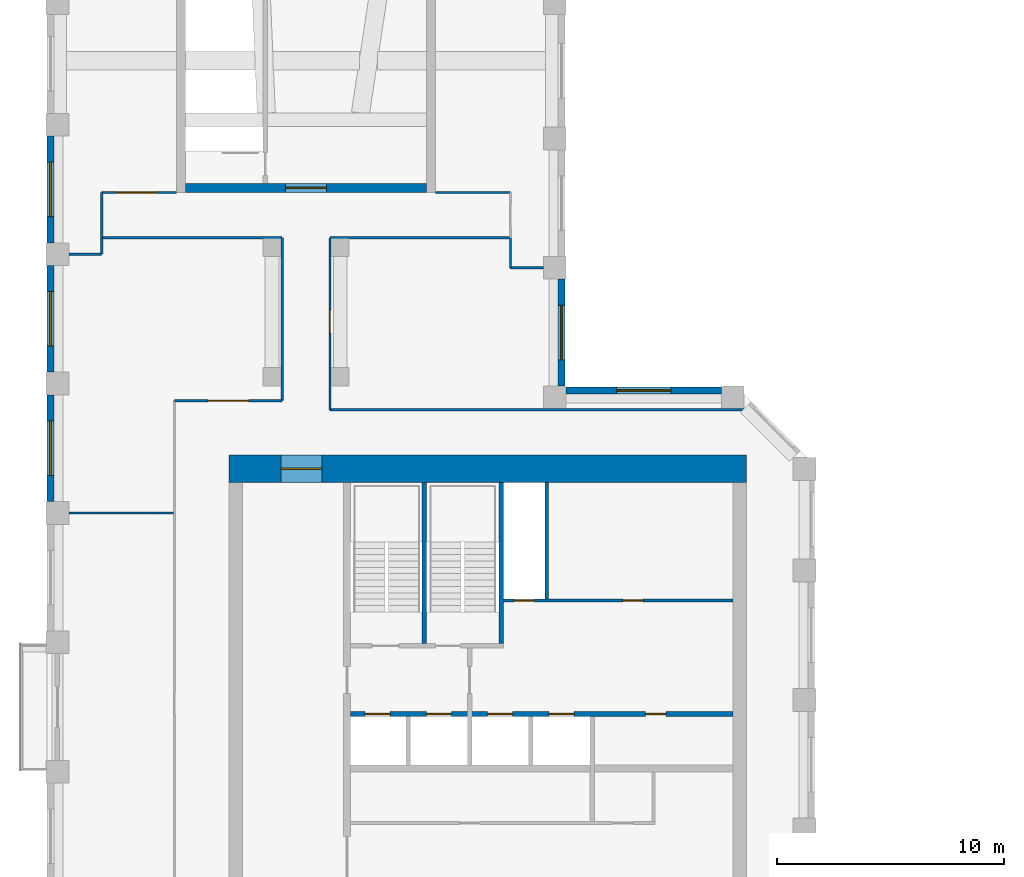
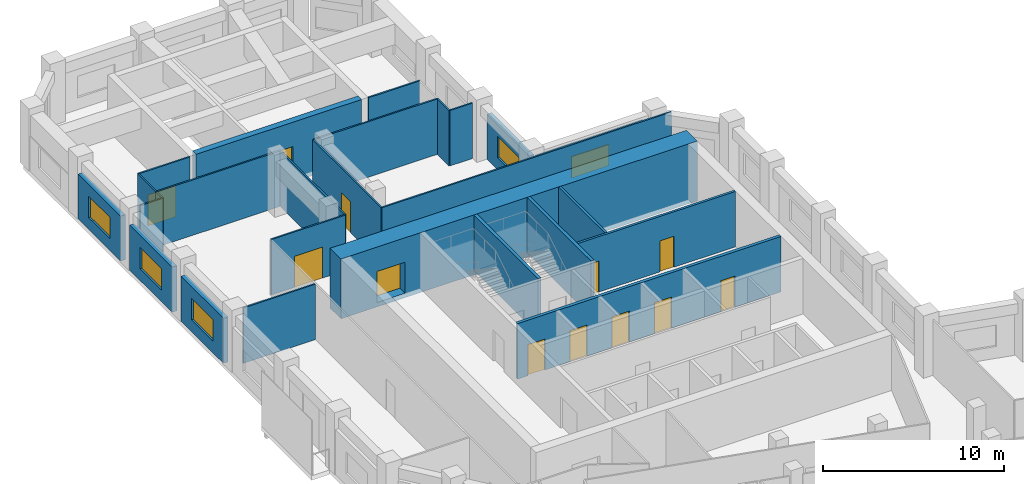
# One storey, part 6 of 9: 26 walls, 12 doors, 5 windows, 17 openings.
"""IFC4 building model written with IfcOpenShell, lengths in metres."""

from ifc_helpers import new_model, si_unit, direction, frame, frame_2d, origin, place, context, subcontext, project, spatial, rectangle, extrude, material, layer, layer_set, type_object, element, fill, save


model = new_model("IFC4")

# Units and contexts
model_context = context("Model", 3, precision=1e-05, world=origin(), true_north=direction((0.0, 1.0)))
body_context = subcontext(model_context, "Body", "Model", "MODEL_VIEW")
ifc_project = project(units=[si_unit("LENGTHUNIT", "METRE"), si_unit("AREAUNIT", "SQUARE_METRE"), si_unit("VOLUMEUNIT", "CUBIC_METRE"), si_unit("PLANEANGLEUNIT", "RADIAN"), si_unit("MASSUNIT", "GRAM", prefix="KILO")], contexts=[model_context])

# Site, building, storey
site_placement = place(None, origin())
site = spatial("IfcSite", under=ifc_project, at=site_placement, CompositionType="ELEMENT")
building_placement = place(site_placement, origin())
building = spatial("IfcBuilding", under=site, at=building_placement, Name="Meshkara Civic Tower", CompositionType="ELEMENT")
storey_placement = place(building_placement, frame((0.0, 0.0, 344.39990234375)))
storey = spatial("IfcBuildingStorey", under=building, at=storey_placement, Name="L79", CompositionType="ELEMENT", Elevation=344.39990234375)

# Wall, openings, doors
ifc_material_1 = material(Name="Blockwork", Category="masonry")
ifc_layer_1 = layer(ifc_material_1, 0.14990234375)
ifc_layer_set_1 = layer_set([ifc_layer_1], Name="Core partition 150")
wall_type_1 = type_object("IfcWallType", Name="Core partition 150", PredefinedType="PARTITIONING", material=ifc_layer_set_1)
wall_1_placement = place(storey_placement, frame((20.10009765625, 30.5, 0.0), z_axis=(0.0, 0.0, 1.0), x_axis=(1.0, 0.0, 0.0)))
wall_1 = element("IfcWall", 1, at=wall_1_placement, inside=storey, type_object=wall_type_1, Name="L79-C010", PredefinedType="PARTITIONING", context=body_context, shape_type="SweptSolid", body=[
    extrude(rectangle(XDim=10.099853515625, YDim=0.14990234375, at=frame_2d((5.0498046875, 0.0))), origin(), (0.0, 0.0, 1.0), 3.75),
])
opening_1_placement = place(wall_1_placement, frame((0.449951171875, 0.0, 0.0)))
opening_1 = element("IfcOpeningElement", 2, at=opening_1_placement, cuts=wall_1, Name="Opening L79-K014", PredefinedType="OPENING", context=body_context, shape_type="SweptSolid", body=[
    extrude(rectangle(XDim=0.89990234375, YDim=2.10009765625, at=frame_2d((0.449951171875, 1.050048828125))), frame((0.0, 0.0849609375, 0.0), z_axis=(0.0, -1.0, 0.0), x_axis=(1.0, 0.0, 0.0)), (0.0, 0.0, 1.0), 0.169921875),
])
opening_2_placement = place(wall_1_placement, frame((5.25, 0.0, 0.0)))
opening_2 = element("IfcOpeningElement", 3, at=opening_2_placement, cuts=wall_1, Name="Opening L79-K015", PredefinedType="OPENING", context=body_context, shape_type="SweptSolid", body=[
    extrude(rectangle(XDim=0.89990234375, YDim=2.10009765625, at=frame_2d((0.449951171875, 1.050048828125))), frame((0.0, 0.0849609375, 0.0), z_axis=(0.0, -1.0, 0.0), x_axis=(1.0, 0.0, 0.0)), (0.0, 0.0, 1.0), 0.169921875),
])
ifc_material_2 = material(Name="Timber door leaf in steel frame", Category="steel")
door_type_1 = type_object("IfcDoorType", Name="Core room door 900", OperationType="SINGLE_SWING_LEFT", PredefinedType="DOOR", material=ifc_material_2)
door_1_placement = place(opening_2_placement, origin())
door_1 = element("IfcDoor", 4, at=door_1_placement, inside=storey, type_object=door_type_1, Name="L79-K015", OperationType="SINGLE_SWING_LEFT", OverallHeight=2.10009765625, OverallWidth=0.89990234375, PredefinedType="DOOR", context=body_context, shape_type="SweptSolid", body=[
    extrude(rectangle(XDim=0.89990234375, YDim=2.10009765625, at=frame_2d((0.449951171875, 1.050048828125))), frame((0.0, 0.02490234375, 0.0), z_axis=(0.0, -1.0, 0.0), x_axis=(1.0, 0.0, 0.0)), (0.0, 0.0, 1.0), 0.050048828125),
])
fill(opening_2, door_1)
ifc_material_3 = material(Name="Fire-rated door leaf in steel frame", Category="steel")
door_type_2 = type_object("IfcDoorType", Name="Riser door 900", OperationType="SINGLE_SWING_LEFT", PredefinedType="DOOR", material=ifc_material_3)
door_2_placement = place(opening_1_placement, origin())
door_2 = element("IfcDoor", 5, at=door_2_placement, inside=storey, type_object=door_type_2, Name="L79-K014", OperationType="SINGLE_SWING_RIGHT", OverallHeight=2.10009765625, OverallWidth=0.89990234375, PredefinedType="DOOR", context=body_context, shape_type="SweptSolid", body=[
    extrude(rectangle(XDim=0.89990234375, YDim=2.10009765625, at=frame_2d((0.449951171875, 1.050048828125))), frame((0.0, 0.02490234375, 0.0), z_axis=(0.0, -1.0, 0.0), x_axis=(1.0, 0.0, 0.0)), (0.0, 0.0, 1.0), 0.050048828125),
])
fill(opening_1, door_2)

# Wall
wall_2_placement = place(storey_placement, frame((22.0, 30.574951171875, 0.0), z_axis=(0.0, 0.0, 1.0), x_axis=(0.0, 1.0, 0.0)))
element("IfcWall", 6, at=wall_2_placement, inside=storey, type_object=wall_type_1, Name="L79-C020", PredefinedType="PARTITIONING", context=body_context, shape_type="SweptSolid", body=[
    extrude(rectangle(XDim=5.125, YDim=0.14990234375, at=frame_2d((2.5625, 0.0))), origin(), (0.0, 0.0, 1.0), 3.75),
])

# Wall, opening, door
ifc_material_4 = material(Name="Concrete C60", Category="concrete")
ifc_layer_2 = layer(ifc_material_4, 1.199951171875)
ifc_layer_set_2 = layer_set([ifc_layer_2], Name="Core ring wall 1200 C60")
wall_type_2 = type_object("IfcWallType", Name="Core ring wall 1200 C60", PredefinedType="SHEAR", material=ifc_layer_set_2)
wall_3_placement = place(storey_placement, frame((8.0, 36.300048828125, -0.2998046875), z_axis=(0.0, 0.0, 1.0), x_axis=(1.0, 0.0, 0.0)))
wall_3 = element("IfcWall", 7, at=wall_3_placement, inside=storey, type_object=wall_type_2, Name="L79-C002", PredefinedType="SHEAR", context=body_context, shape_type="SweptSolid", body=[
    extrude(rectangle(XDim=22.800048828125, YDim=1.199951171875, at=frame_2d((11.39990234375, 0.0))), origin(), (0.0, 0.0, 1.0), 4.0498046875),
])
opening_3_placement = place(wall_3_placement, frame((2.300048828125, 0.0, 0.300048828125)))
opening_3 = element("IfcOpeningElement", 8, at=opening_3_placement, cuts=wall_3, Name="Opening L79-K021", PredefinedType="OPENING", context=body_context, shape_type="SweptSolid", body=[
    extrude(rectangle(XDim=1.800048828125, YDim=2.10009765625, at=frame_2d((0.89990234375, 1.050048828125))), frame((0.0, 0.60986328125, 0.0), z_axis=(0.0, -1.0, 0.0), x_axis=(1.0, 0.0, 0.0)), (0.0, 0.0, 1.0), 1.219970703125),
])
ifc_material_5 = material(Name="Fire-rated door leaf in steel frame", Category="steel")
door_type_3 = type_object("IfcDoorType", Name="Core double door 1800 EI 60", OperationType="DOUBLE_DOOR_SINGLE_SWING", PredefinedType="DOOR", material=ifc_material_5)
door_3_placement = place(opening_3_placement, origin())
door_3 = element("IfcDoor", 9, at=door_3_placement, inside=storey, type_object=door_type_3, Name="L79-K021", OperationType="DOUBLE_DOOR_SINGLE_SWING", OverallHeight=2.10009765625, OverallWidth=1.800048828125, PredefinedType="DOOR", context=body_context, shape_type="SweptSolid", body=[
    extrude(rectangle(XDim=1.800048828125, YDim=2.10009765625, at=frame_2d((0.89990234375, 1.050048828125))), frame((0.0, 0.02490234375, 0.0), z_axis=(0.0, -1.0, 0.0), x_axis=(1.0, 0.0, 0.0)), (0.0, 0.0, 1.0), 0.050048828125),
])
fill(opening_3, door_3)

# Walls
ifc_material_6 = material(Name="Corridor wall 100")
ifc_layer_3 = layer(ifc_material_6, 0.10009765625)
ifc_layer_set_3 = layer_set([ifc_layer_3], Name="Corridor wall 100")
wall_type_3 = type_object("IfcWallType", Name="Corridor wall 100", PredefinedType="PARTITIONING", material=ifc_layer_set_3)
wall_4_placement = place(storey_placement, frame((2.39990234375, 46.469970703125, 0.0), z_axis=(0.0, 0.0, 1.0), x_axis=(1.0, 0.0, 0.0)))
element("IfcWall", 10, at=wall_4_placement, inside=storey, type_object=wall_type_3, Name="L79-W001", PredefinedType="PARTITIONING", context=body_context, shape_type="SweptSolid", body=[
    extrude(rectangle(XDim=7.9501953125, YDim=0.10009765625, at=frame_2d((3.97509765625, 0.0))), origin(), (0.0, 0.0, 1.0), 3.75),
])
wall_5_placement = place(storey_placement, frame((2.39990234375, 48.469970703125, 0.0), z_axis=(0.0, 0.0, 1.0), x_axis=(0.0, -1.0, 0.0)))
element("IfcWall", 11, at=wall_5_placement, inside=storey, type_object=wall_type_3, Name="L79-W002", PredefinedType="PARTITIONING", context=body_context, shape_type="SweptSolid", body=[
    extrude(rectangle(XDim=2.0, YDim=0.10009765625, at=frame_2d((1.0, 0.0))), origin(), (0.0, 0.0, 1.0), 3.75),
])

# Wall, opening, door
wall_6_placement = place(storey_placement, frame((5.699951171875, 48.469970703125, 0.0), z_axis=(0.0, 0.0, 1.0), x_axis=(-1.0, 0.0, 0.0)))
wall_6 = element("IfcWall", 12, at=wall_6_placement, inside=storey, type_object=wall_type_3, Name="L79-W005", PredefinedType="PARTITIONING", context=body_context, shape_type="SweptSolid", body=[
    extrude(rectangle(XDim=3.300048828125, YDim=0.10009765625, at=frame_2d((1.64990234375, 0.0))), origin(), (0.0, 0.0, 1.0), 3.75),
])
opening_4_placement = place(wall_6_placement, frame((0.8798828125, 0.0, 0.0)))
opening_4 = element("IfcOpeningElement", 13, at=opening_4_placement, cuts=wall_6, Name="Opening L79-D018", PredefinedType="OPENING", context=body_context, shape_type="SweptSolid", body=[
    extrude(rectangle(XDim=1.800048828125, YDim=2.10009765625, at=frame_2d((0.89990234375, 1.050048828125))), frame((0.0, 0.06005859375, 0.0), z_axis=(0.0, -1.0, 0.0), x_axis=(1.0, 0.0, 0.0)), (0.0, 0.0, 1.0), 0.1201171875),
])
ifc_material_7 = material(Name="Door pair 1800 x 2100")
door_type_4 = type_object("IfcDoorType", Name="Door pair 1800 x 2100", OperationType="SINGLE_SWING_LEFT", PredefinedType="DOOR", material=ifc_material_7)
door_4_placement = place(opening_4_placement, origin())
door_4 = element("IfcDoor", 14, at=door_4_placement, inside=storey, type_object=door_type_4, Name="L79-D018", OperationType="DOUBLE_DOOR_SINGLE_SWING", OverallHeight=2.10009765625, OverallWidth=1.800048828125, PredefinedType="DOOR", context=body_context, shape_type="SweptSolid", body=[
    extrude(rectangle(XDim=1.800048828125, YDim=2.10009765625, at=frame_2d((0.89990234375, 1.050048828125))), frame((0.0, 0.02490234375, 0.0), z_axis=(0.0, -1.0, 0.0), x_axis=(1.0, 0.0, 0.0)), (0.0, 0.0, 1.0), 0.050048828125),
])
fill(opening_4, door_4)

wall_7_placement = place(storey_placement, frame((10.35009765625, 39.300048828125, 0.0), z_axis=(0.0, 0.0, 1.0), x_axis=(-1.0, 0.0, 0.0)))
wall_7 = element("IfcWall", 15, at=wall_7_placement, inside=storey, type_object=wall_type_3, Name="L79-W011", PredefinedType="PARTITIONING", context=body_context, shape_type="SweptSolid", body=[
    extrude(rectangle(XDim=4.75, YDim=0.10009765625, at=frame_2d((2.375, 0.0))), origin(), (0.0, 0.0, 1.0), 3.75),
])
opening_5_placement = place(wall_7_placement, frame((1.47998046875, 0.0, 0.0)))
opening_5 = element("IfcOpeningElement", 16, at=opening_5_placement, cuts=wall_7, Name="Opening L79-D015", PredefinedType="OPENING", context=body_context, shape_type="SweptSolid", body=[
    extrude(rectangle(XDim=1.800048828125, YDim=2.10009765625, at=frame_2d((0.89990234375, 1.050048828125))), frame((0.0, 0.06005859375, 0.0), z_axis=(0.0, -1.0, 0.0), x_axis=(1.0, 0.0, 0.0)), (0.0, 0.0, 1.0), 0.1201171875),
])
door_5_placement = place(opening_5_placement, origin())
door_5 = element("IfcDoor", 17, at=door_5_placement, inside=storey, type_object=door_type_4, Name="L79-D015", OperationType="DOUBLE_DOOR_SINGLE_SWING", OverallHeight=2.10009765625, OverallWidth=1.800048828125, PredefinedType="DOOR", context=body_context, shape_type="SweptSolid", body=[
    extrude(rectangle(XDim=1.800048828125, YDim=2.10009765625, at=frame_2d((0.89990234375, 1.050048828125))), frame((0.0, 0.02490234375, 0.0), z_axis=(0.0, -1.0, 0.0), x_axis=(1.0, 0.0, 0.0)), (0.0, 0.0, 1.0), 0.050048828125),
])
fill(opening_5, door_5)

# Wall
wall_8_placement = place(storey_placement, frame((10.35009765625, 46.469970703125, 0.0), z_axis=(0.0, 0.0, 1.0), x_axis=(0.0, -1.0, 0.0)))
element("IfcWall", 18, at=wall_8_placement, inside=storey, type_object=wall_type_3, Name="L79-W012", PredefinedType="PARTITIONING", context=body_context, shape_type="SweptSolid", body=[
    extrude(rectangle(XDim=7.169921875, YDim=0.10009765625, at=frame_2d((3.5849609375, 0.0))), origin(), (0.0, 0.0, 1.0), 3.75),
])

# Wall, opening, door
wall_9_placement = place(storey_placement, frame((12.449951171875, 38.89990234375, 0.0), z_axis=(0.0, 0.0, 1.0), x_axis=(0.0, 1.0, 0.0)))
wall_9 = element("IfcWall", 19, at=wall_9_placement, inside=storey, type_object=wall_type_3, Name="L79-W013", PredefinedType="PARTITIONING", context=body_context, shape_type="SweptSolid", body=[
    extrude(rectangle(XDim=7.570068359375, YDim=0.10009765625, at=frame_2d((3.78515625, 0.0))), origin(), (0.0, 0.0, 1.0), 3.75),
])
opening_6_placement = place(wall_9_placement, frame((3.3798828125, 0.0, 0.0)))
opening_6 = element("IfcOpeningElement", 20, at=opening_6_placement, cuts=wall_9, Name="Opening L79-D016", PredefinedType="OPENING", context=body_context, shape_type="SweptSolid", body=[
    extrude(rectangle(XDim=1.0, YDim=2.10009765625, at=frame_2d((0.5, 1.050048828125))), frame((0.0, 0.06005859375, 0.0), z_axis=(0.0, -1.0, 0.0), x_axis=(1.0, 0.0, 0.0)), (0.0, 0.0, 1.0), 0.1201171875),
])
ifc_material_8 = material(Name="Door 1000 x 2100")
door_type_5 = type_object("IfcDoorType", Name="Door 1000 x 2100", OperationType="SINGLE_SWING_LEFT", PredefinedType="DOOR", material=ifc_material_8)
door_6_placement = place(opening_6_placement, origin())
door_6 = element("IfcDoor", 21, at=door_6_placement, inside=storey, type_object=door_type_5, Name="L79-D016", OperationType="SINGLE_SWING_LEFT", OverallHeight=2.10009765625, OverallWidth=1.0, PredefinedType="DOOR", context=body_context, shape_type="SweptSolid", body=[
    extrude(rectangle(XDim=1.0, YDim=2.10009765625, at=frame_2d((0.5, 1.050048828125))), frame((0.0, 0.02490234375, 0.0), z_axis=(0.0, -1.0, 0.0), x_axis=(1.0, 0.0, 0.0)), (0.0, 0.0, 1.0), 0.050048828125),
])
fill(opening_6, door_6)

# Walls
wall_10_placement = place(storey_placement, frame((12.449951171875, 46.469970703125, 0.0), z_axis=(0.0, 0.0, 1.0), x_axis=(1.0, 0.0, 0.0)))
element("IfcWall", 22, at=wall_10_placement, inside=storey, type_object=wall_type_3, Name="L79-W014", PredefinedType="PARTITIONING", context=body_context, shape_type="SweptSolid", body=[
    extrude(rectangle(XDim=7.949951171875, YDim=0.10009765625, at=frame_2d((3.97509765625, 0.0))), origin(), (0.0, 0.0, 1.0), 3.75),
])
wall_11_placement = place(storey_placement, frame((20.39990234375, 48.469970703125, 0.0), z_axis=(0.0, 0.0, 1.0), x_axis=(-1.0, 0.0, 0.0)))
element("IfcWall", 23, at=wall_11_placement, inside=storey, type_object=wall_type_3, Name="L79-W019", PredefinedType="PARTITIONING", context=body_context, shape_type="SweptSolid", body=[
    extrude(rectangle(XDim=3.2998046875, YDim=0.10009765625, at=frame_2d((1.64990234375, 0.0))), origin(), (0.0, 0.0, 1.0), 3.75),
])
wall_12_placement = place(storey_placement, frame((30.9560546875, 38.89990234375, 0.0), z_axis=(0.0, 0.0, 1.0), x_axis=(-1.0, 0.0, 0.0)))
element("IfcWall", 24, at=wall_12_placement, inside=storey, type_object=wall_type_3, Name="L79-W023", PredefinedType="PARTITIONING", context=body_context, shape_type="SweptSolid", body=[
    extrude(rectangle(XDim=18.506103515625, YDim=0.10009765625, at=frame_2d((9.2529296875, 0.0))), origin(), (0.0, 0.0, 1.0), 3.75),
])

# Wall, opening, window
ifc_material_9 = material(Name="Insulated infill panel with bronze anodised aluminium cladding", Category="aluminium")
ifc_layer_4 = layer(ifc_material_9, 0.300048828125)
ifc_layer_set_4 = layer_set([ifc_layer_4], Name="EXTERNAL INFILL WALL 300")
wall_type_4 = type_object("IfcWallType", Name="EXTERNAL INFILL WALL 300", PredefinedType="SOLIDWALL", material=ifc_layer_set_4)
wall_13_placement = place(storey_placement, frame((29.694091796875, 39.75, 0.0), z_axis=(0.0, 0.0, 1.0), x_axis=(-1.0, 0.0, 0.0)))
wall_13 = element("IfcWall", 25, at=wall_13_placement, inside=storey, type_object=wall_type_4, Name="External wall", PredefinedType="SOLIDWALL", context=body_context, shape_type="SweptSolid", body=[
    extrude(rectangle(XDim=6.843994140625, YDim=0.300048828125, at=frame_2d((3.421875, 0.0))), origin(), (0.0, 0.0, 1.0), 3.050048828125),
])
opening_7_placement = place(wall_13_placement, frame((2.221923828125, 0.0, 0.800048828125)))
opening_7 = element("IfcOpeningElement", 26, at=opening_7_placement, cuts=wall_13, Name="Opening W8", PredefinedType="OPENING", context=body_context, shape_type="SweptSolid", body=[
    extrude(rectangle(XDim=2.39990234375, YDim=1.449951171875, at=frame_2d((1.199951171875, 0.72509765625))), frame((0.0, 0.159912109375, 0.0), z_axis=(0.0, -1.0, 0.0), x_axis=(1.0, 0.0, 0.0)), (0.0, 0.0, 1.0), 0.320068359375),
])
ifc_material_10 = material(Name="Tinted double glazing", Category="glass")
window_type = type_object("IfcWindowType", Name="WINDOW 2400x1450", PartitioningType="DOUBLE_PANEL_VERTICAL", PredefinedType="WINDOW", material=ifc_material_10)
window_1_placement = place(opening_7_placement, origin())
window_1 = element("IfcWindow", 27, at=window_1_placement, inside=storey, type_object=window_type, Name="Window", OverallHeight=1.449951171875, OverallWidth=2.39990234375, PartitioningType="DOUBLE_PANEL_VERTICAL", PredefinedType="WINDOW", context=body_context, shape_type="SweptSolid", body=[
    extrude(rectangle(XDim=2.39990234375, YDim=1.449951171875, at=frame_2d((1.199951171875, 0.72509765625))), frame((0.0, 0.030029296875, 0.0), z_axis=(0.0, -1.0, 0.0), x_axis=(1.0, 0.0, 0.0)), (0.0, 0.0, 1.0), 0.06005859375),
])
fill(opening_7, window_1)

wall_14_placement = place(storey_placement, frame((22.64990234375, 39.949951171875, 0.0), z_axis=(0.0, 0.0, 1.0), x_axis=(0.0, 1.0, 0.0)))
wall_14 = element("IfcWall", 28, at=wall_14_placement, inside=storey, type_object=wall_type_4, Name="External wall", PredefinedType="SOLIDWALL", context=body_context, shape_type="SweptSolid", body=[
    extrude(rectangle(XDim=4.699951171875, YDim=0.300048828125, at=frame_2d((2.35009765625, 0.0))), origin(), (0.0, 0.0, 1.0), 3.050048828125),
])
opening_8_placement = place(wall_14_placement, frame((1.14990234375, 0.0, 0.800048828125)))
opening_8 = element("IfcOpeningElement", 29, at=opening_8_placement, cuts=wall_14, Name="Opening W8", PredefinedType="OPENING", context=body_context, shape_type="SweptSolid", body=[
    extrude(rectangle(XDim=2.39990234375, YDim=1.449951171875, at=frame_2d((1.199951171875, 0.72509765625))), frame((0.0, 0.159912109375, 0.0), z_axis=(0.0, -1.0, 0.0), x_axis=(1.0, 0.0, 0.0)), (0.0, 0.0, 1.0), 0.320068359375),
])
window_2_placement = place(opening_8_placement, origin())
window_2 = element("IfcWindow", 30, at=window_2_placement, inside=storey, type_object=window_type, Name="Window", OverallHeight=1.449951171875, OverallWidth=2.39990234375, PartitioningType="DOUBLE_PANEL_VERTICAL", PredefinedType="WINDOW", context=body_context, shape_type="SweptSolid", body=[
    extrude(rectangle(XDim=2.39990234375, YDim=1.449951171875, at=frame_2d((1.199951171875, 0.72509765625))), frame((0.0, 0.030029296875, 0.0), z_axis=(0.0, -1.0, 0.0), x_axis=(1.0, 0.0, 0.0)), (0.0, 0.0, 1.0), 0.06005859375),
])
fill(opening_8, window_2)

wall_15_placement = place(storey_placement, frame((0.14990234375, 50.955078125, 0.0), z_axis=(0.0, 0.0, 1.0), x_axis=(0.0, -1.0, 0.0)))
wall_15 = element("IfcWall", 31, at=wall_15_placement, inside=storey, type_object=wall_type_4, Name="External wall", PredefinedType="SOLIDWALL", context=body_context, shape_type="SweptSolid", body=[
    extrude(rectangle(XDim=4.7001953125, YDim=0.300048828125, at=frame_2d((2.35009765625, 0.0))), origin(), (0.0, 0.0, 1.0), 3.050048828125),
])
opening_9_placement = place(wall_15_placement, frame((1.14990234375, 0.0, 0.800048828125)))
opening_9 = element("IfcOpeningElement", 32, at=opening_9_placement, cuts=wall_15, Name="Opening W8", PredefinedType="OPENING", context=body_context, shape_type="SweptSolid", body=[
    extrude(rectangle(XDim=2.39990234375, YDim=1.449951171875, at=frame_2d((1.199951171875, 0.72509765625))), frame((0.0, 0.159912109375, 0.0), z_axis=(0.0, -1.0, 0.0), x_axis=(1.0, 0.0, 0.0)), (0.0, 0.0, 1.0), 0.320068359375),
])
window_3_placement = place(opening_9_placement, origin())
window_3 = element("IfcWindow", 33, at=window_3_placement, inside=storey, type_object=window_type, Name="Window", OverallHeight=1.449951171875, OverallWidth=2.39990234375, PartitioningType="DOUBLE_PANEL_VERTICAL", PredefinedType="WINDOW", context=body_context, shape_type="SweptSolid", body=[
    extrude(rectangle(XDim=2.39990234375, YDim=1.449951171875, at=frame_2d((1.199951171875, 0.72509765625))), frame((0.0, 0.030029296875, 0.0), z_axis=(0.0, -1.0, 0.0), x_axis=(1.0, 0.0, 0.0)), (0.0, 0.0, 1.0), 0.06005859375),
])
fill(opening_9, window_3)

wall_16_placement = place(storey_placement, frame((0.14990234375, 45.2548828125, 0.0), z_axis=(0.0, 0.0, 1.0), x_axis=(0.0, -1.0, 0.0)))
wall_16 = element("IfcWall", 34, at=wall_16_placement, inside=storey, type_object=wall_type_4, Name="External wall", PredefinedType="SOLIDWALL", context=body_context, shape_type="SweptSolid", body=[
    extrude(rectangle(XDim=4.699951171875, YDim=0.300048828125, at=frame_2d((2.35009765625, 0.0))), origin(), (0.0, 0.0, 1.0), 3.050048828125),
])
opening_10_placement = place(wall_16_placement, frame((1.14990234375, 0.0, 0.800048828125)))
opening_10 = element("IfcOpeningElement", 35, at=opening_10_placement, cuts=wall_16, Name="Opening W8", PredefinedType="OPENING", context=body_context, shape_type="SweptSolid", body=[
    extrude(rectangle(XDim=2.39990234375, YDim=1.449951171875, at=frame_2d((1.199951171875, 0.72509765625))), frame((0.0, 0.159912109375, 0.0), z_axis=(0.0, -1.0, 0.0), x_axis=(1.0, 0.0, 0.0)), (0.0, 0.0, 1.0), 0.320068359375),
])
window_4_placement = place(opening_10_placement, origin())
window_4 = element("IfcWindow", 36, at=window_4_placement, inside=storey, type_object=window_type, Name="Window", OverallHeight=1.449951171875, OverallWidth=2.39990234375, PartitioningType="DOUBLE_PANEL_VERTICAL", PredefinedType="WINDOW", context=body_context, shape_type="SweptSolid", body=[
    extrude(rectangle(XDim=2.39990234375, YDim=1.449951171875, at=frame_2d((1.199951171875, 0.72509765625))), frame((0.0, 0.030029296875, 0.0), z_axis=(0.0, -1.0, 0.0), x_axis=(1.0, 0.0, 0.0)), (0.0, 0.0, 1.0), 0.06005859375),
])
fill(opening_10, window_4)

wall_17_placement = place(storey_placement, frame((0.14990234375, 39.554931640625, 0.0), z_axis=(0.0, 0.0, 1.0), x_axis=(0.0, -1.0, 0.0)))
wall_17 = element("IfcWall", 37, at=wall_17_placement, inside=storey, type_object=wall_type_4, Name="External wall", PredefinedType="SOLIDWALL", context=body_context, shape_type="SweptSolid", body=[
    extrude(rectangle(XDim=4.699951171875, YDim=0.300048828125, at=frame_2d((2.35009765625, 0.0))), origin(), (0.0, 0.0, 1.0), 3.050048828125),
])
opening_11_placement = place(wall_17_placement, frame((1.14990234375, 0.0, 0.800048828125)))
opening_11 = element("IfcOpeningElement", 38, at=opening_11_placement, cuts=wall_17, Name="Opening W8", PredefinedType="OPENING", context=body_context, shape_type="SweptSolid", body=[
    extrude(rectangle(XDim=2.39990234375, YDim=1.449951171875, at=frame_2d((1.199951171875, 0.72509765625))), frame((0.0, 0.159912109375, 0.0), z_axis=(0.0, -1.0, 0.0), x_axis=(1.0, 0.0, 0.0)), (0.0, 0.0, 1.0), 0.320068359375),
])
window_5_placement = place(opening_11_placement, origin())
window_5 = element("IfcWindow", 39, at=window_5_placement, inside=storey, type_object=window_type, Name="Window", OverallHeight=1.449951171875, OverallWidth=2.39990234375, PartitioningType="DOUBLE_PANEL_VERTICAL", PredefinedType="WINDOW", context=body_context, shape_type="SweptSolid", body=[
    extrude(rectangle(XDim=2.39990234375, YDim=1.449951171875, at=frame_2d((1.199951171875, 0.72509765625))), frame((0.0, 0.030029296875, 0.0), z_axis=(0.0, -1.0, 0.0), x_axis=(1.0, 0.0, 0.0)), (0.0, 0.0, 1.0), 0.06005859375),
])
fill(opening_11, window_5)

# Wall, opening, door
ifc_material_11 = material(Name="Concrete C60", Category="concrete")
ifc_layer_5 = layer(ifc_material_11, 0.39990234375)
ifc_layer_set_5 = layer_set([ifc_layer_5], Name="End core ring wall 400 C60")
wall_type_5 = type_object("IfcWallType", Name="End core ring wall 400 C60", PredefinedType="SHEAR", material=ifc_layer_set_5)
wall_18_placement = place(storey_placement, frame((6.10009765625, 48.669921875, -0.2998046875), z_axis=(0.0, 0.0, 1.0), x_axis=(1.0, 0.0, 0.0)))
wall_18 = element("IfcWall", 40, at=wall_18_placement, inside=storey, type_object=wall_type_5, Name="L79-C028", PredefinedType="SHEAR", context=body_context, shape_type="SweptSolid", body=[
    extrude(rectangle(XDim=10.599853515625, YDim=0.39990234375, at=frame_2d((5.2998046875, 0.0))), origin(), (0.0, 0.0, 1.0), 4.0498046875),
])
opening_12_placement = place(wall_18_placement, frame((4.39990234375, 0.0, 0.300048828125)))
opening_12 = element("IfcOpeningElement", 41, at=opening_12_placement, cuts=wall_18, Name="Opening L79-K102", PredefinedType="OPENING", context=body_context, shape_type="SweptSolid", body=[
    extrude(rectangle(XDim=1.800048828125, YDim=2.10009765625, at=frame_2d((0.89990234375, 1.050048828125))), frame((0.0, 0.2099609375, 0.0), z_axis=(0.0, -1.0, 0.0), x_axis=(1.0, 0.0, 0.0)), (0.0, 0.0, 1.0), 0.419921875),
])
door_7_placement = place(opening_12_placement, origin())
door_7 = element("IfcDoor", 42, at=door_7_placement, inside=storey, type_object=door_type_3, Name="L79-K102", OperationType="DOUBLE_DOOR_SINGLE_SWING", OverallHeight=2.10009765625, OverallWidth=1.800048828125, PredefinedType="DOOR", context=body_context, shape_type="SweptSolid", body=[
    extrude(rectangle(XDim=1.800048828125, YDim=2.10009765625, at=frame_2d((0.89990234375, 1.050048828125))), frame((0.0, 0.02490234375, 0.0), z_axis=(0.0, -1.0, 0.0), x_axis=(1.0, 0.0, 0.0)), (0.0, 0.0, 1.0), 0.050048828125),
])
fill(opening_12, door_7)

# Walls
ifc_material_12 = material(Name="Partition 100")
ifc_layer_6 = layer(ifc_material_12, 0.10009765625)
ifc_layer_set_6 = layer_set([ifc_layer_6], Name="Partition 100")
wall_type_6 = type_object("IfcWallType", Name="Partition 100", PredefinedType="PARTITIONING", material=ifc_layer_set_6)
wall_19_placement = place(storey_placement, frame((2.39990234375, 45.7548828125, 0.0), z_axis=(0.0, 0.0, 1.0), x_axis=(-1.0, 0.0, 0.0)))
element("IfcWall", 43, at=wall_19_placement, inside=storey, type_object=wall_type_6, Name="L79-W038", PredefinedType="PARTITIONING", context=body_context, shape_type="SweptSolid", body=[
    extrude(rectangle(XDim=1.449951171875, YDim=0.10009765625, at=frame_2d((0.72509765625, 0.0))), origin(), (0.0, 0.0, 1.0), 3.75),
])
wall_20_placement = place(storey_placement, frame((2.39990234375, 46.47412109375, 0.0), z_axis=(0.0, 0.0, 1.0), x_axis=(0.0, -1.0, 0.0)))
element("IfcWall", 44, at=wall_20_placement, inside=storey, type_object=wall_type_6, Name="L79-W039", PredefinedType="PARTITIONING", context=body_context, shape_type="SweptSolid", body=[
    extrude(rectangle(XDim=0.71923828125, YDim=0.10009765625, at=frame_2d((0.359619140625, 0.0))), origin(), (0.0, 0.0, 1.0), 3.75),
])
wall_21_placement = place(storey_placement, frame((5.550048828125, 34.35498046875, 0.0), z_axis=(0.0, 0.0, 1.0), x_axis=(-1.0, 0.0, 0.0)))
element("IfcWall", 45, at=wall_21_placement, inside=storey, type_object=wall_type_6, Name="L79-W041", PredefinedType="PARTITIONING", context=body_context, shape_type="SweptSolid", body=[
    extrude(rectangle(XDim=4.60009765625, YDim=0.10009765625, at=frame_2d((2.300048828125, 0.0))), origin(), (0.0, 0.0, 1.0), 3.75),
])
wall_22_placement = place(storey_placement, frame((20.39990234375, 45.14990234375, 0.0), z_axis=(0.0, 0.0, 1.0), x_axis=(0.0, 1.0, 0.0)))
element("IfcWall", 46, at=wall_22_placement, inside=storey, type_object=wall_type_6, Name="L79-W049", PredefinedType="PARTITIONING", context=body_context, shape_type="SweptSolid", body=[
    extrude(rectangle(XDim=1.32421875, YDim=0.10009765625, at=frame_2d((0.662109375, 0.0))), origin(), (0.0, 0.0, 1.0), 3.75),
])
wall_23_placement = place(storey_placement, frame((21.85009765625, 45.14990234375, 0.0), z_axis=(0.0, 0.0, 1.0), x_axis=(-1.0, 0.0, 0.0)))
element("IfcWall", 47, at=wall_23_placement, inside=storey, type_object=wall_type_6, Name="L79-W050", PredefinedType="PARTITIONING", context=body_context, shape_type="SweptSolid", body=[
    extrude(rectangle(XDim=1.4501953125, YDim=0.10009765625, at=frame_2d((0.72509765625, 0.0))), origin(), (0.0, 0.0, 1.0), 3.75),
])

# Wall, openings, doors
ifc_material_13 = material(Name="Concrete C40/50", Category="concrete")
ifc_layer_7 = layer(ifc_material_13, 0.199951171875)
ifc_layer_set_7 = layer_set([ifc_layer_7], Name="Shaft wall 200 C40/50")
wall_type_7 = type_object("IfcWallType", Name="Shaft wall 200 C40/50", PredefinedType="SOLIDWALL", material=ifc_layer_set_7)
wall_24_placement = place(storey_placement, frame((13.35009765625, 25.5, 0.0), z_axis=(0.0, 0.0, 1.0), x_axis=(1.0, 0.0, 0.0)))
wall_24 = element("IfcWall", 48, at=wall_24_placement, inside=storey, type_object=wall_type_7, Name="L79-C008", PredefinedType="SOLIDWALL", context=body_context, shape_type="SweptSolid", body=[
    extrude(rectangle(XDim=16.849853515625, YDim=0.199951171875, at=frame_2d((8.4248046875, 0.0))), origin(), (0.0, 0.0, 1.0), 3.75),
])
opening_13_placement = place(wall_24_placement, frame((0.64990234375, 0.0, 0.0)))
opening_13 = element("IfcOpeningElement", 49, at=opening_13_placement, cuts=wall_24, Name="Opening L79-K005", PredefinedType="OPENING", context=body_context, shape_type="SweptSolid", body=[
    extrude(rectangle(XDim=1.10009765625, YDim=2.10009765625, at=frame_2d((0.550048828125, 1.050048828125))), frame((0.0, 0.10986328125, 0.0), z_axis=(0.0, -1.0, 0.0), x_axis=(1.0, 0.0, 0.0)), (0.0, 0.0, 1.0), 0.219970703125),
])
opening_14_placement = place(wall_24_placement, frame((3.35009765625, 0.0, 0.0)))
opening_14 = element("IfcOpeningElement", 50, at=opening_14_placement, cuts=wall_24, Name="Opening L79-K006", PredefinedType="OPENING", context=body_context, shape_type="SweptSolid", body=[
    extrude(rectangle(XDim=1.10009765625, YDim=2.10009765625, at=frame_2d((0.550048828125, 1.050048828125))), frame((0.0, 0.10986328125, 0.0), z_axis=(0.0, -1.0, 0.0), x_axis=(1.0, 0.0, 0.0)), (0.0, 0.0, 1.0), 0.219970703125),
])
opening_15_placement = place(wall_24_placement, frame((6.050048828125, 0.0, 0.0)))
opening_15 = element("IfcOpeningElement", 51, at=opening_15_placement, cuts=wall_24, Name="Opening L79-K007", PredefinedType="OPENING", context=body_context, shape_type="SweptSolid", body=[
    extrude(rectangle(XDim=1.10009765625, YDim=2.10009765625, at=frame_2d((0.550048828125, 1.050048828125))), frame((0.0, 0.10986328125, 0.0), z_axis=(0.0, -1.0, 0.0), x_axis=(1.0, 0.0, 0.0)), (0.0, 0.0, 1.0), 0.219970703125),
])
opening_16_placement = place(wall_24_placement, frame((8.75, 0.0, 0.0)))
opening_16 = element("IfcOpeningElement", 52, at=opening_16_placement, cuts=wall_24, Name="Opening L79-K008", PredefinedType="OPENING", context=body_context, shape_type="SweptSolid", body=[
    extrude(rectangle(XDim=1.10009765625, YDim=2.10009765625, at=frame_2d((0.550048828125, 1.050048828125))), frame((0.0, 0.10986328125, 0.0), z_axis=(0.0, -1.0, 0.0), x_axis=(1.0, 0.0, 0.0)), (0.0, 0.0, 1.0), 0.219970703125),
])
opening_17_placement = place(wall_24_placement, frame((13.0, 0.0, 0.0)))
opening_17 = element("IfcOpeningElement", 53, at=opening_17_placement, cuts=wall_24, Name="Opening L79-K013", PredefinedType="OPENING", context=body_context, shape_type="SweptSolid", body=[
    extrude(rectangle(XDim=0.89990234375, YDim=2.10009765625, at=frame_2d((0.449951171875, 1.050048828125))), frame((0.0, 0.10986328125, 0.0), z_axis=(0.0, -1.0, 0.0), x_axis=(1.0, 0.0, 0.0)), (0.0, 0.0, 1.0), 0.219970703125),
])
door_8_placement = place(opening_17_placement, origin())
door_8 = element("IfcDoor", 54, at=door_8_placement, inside=storey, type_object=door_type_1, Name="L79-K013", OperationType="SINGLE_SWING_LEFT", OverallHeight=2.10009765625, OverallWidth=0.89990234375, PredefinedType="DOOR", context=body_context, shape_type="SweptSolid", body=[
    extrude(rectangle(XDim=0.89990234375, YDim=2.10009765625, at=frame_2d((0.449951171875, 1.050048828125))), frame((0.0, 0.02490234375, 0.0), z_axis=(0.0, -1.0, 0.0), x_axis=(1.0, 0.0, 0.0)), (0.0, 0.0, 1.0), 0.050048828125),
])
fill(opening_17, door_8)
ifc_material_14 = material(Name="Stainless steel landing door", Category="steel")
door_type_6 = type_object("IfcDoorType", Name="Lift landing door 1100", OperationType="SLIDING_TO_LEFT", PredefinedType="DOOR", material=ifc_material_14)
door_9_placement = place(opening_13_placement, origin())
door_9 = element("IfcDoor", 55, at=door_9_placement, inside=storey, type_object=door_type_6, Name="L79-K005", OperationType="SLIDING_TO_LEFT", OverallHeight=2.10009765625, OverallWidth=1.10009765625, PredefinedType="DOOR", context=body_context, shape_type="SweptSolid", body=[
    extrude(rectangle(XDim=1.10009765625, YDim=2.10009765625, at=frame_2d((0.550048828125, 1.050048828125))), frame((0.0, 0.02490234375, 0.0), z_axis=(0.0, -1.0, 0.0), x_axis=(1.0, 0.0, 0.0)), (0.0, 0.0, 1.0), 0.050048828125),
])
fill(opening_13, door_9)
door_10_placement = place(opening_14_placement, origin())
door_10 = element("IfcDoor", 56, at=door_10_placement, inside=storey, type_object=door_type_6, Name="L79-K006", OperationType="SLIDING_TO_LEFT", OverallHeight=2.10009765625, OverallWidth=1.10009765625, PredefinedType="DOOR", context=body_context, shape_type="SweptSolid", body=[
    extrude(rectangle(XDim=1.10009765625, YDim=2.10009765625, at=frame_2d((0.550048828125, 1.050048828125))), frame((0.0, 0.02490234375, 0.0), z_axis=(0.0, -1.0, 0.0), x_axis=(1.0, 0.0, 0.0)), (0.0, 0.0, 1.0), 0.050048828125),
])
fill(opening_14, door_10)
door_11_placement = place(opening_15_placement, origin())
door_11 = element("IfcDoor", 57, at=door_11_placement, inside=storey, type_object=door_type_6, Name="L79-K007", OperationType="SLIDING_TO_LEFT", OverallHeight=2.10009765625, OverallWidth=1.10009765625, PredefinedType="DOOR", context=body_context, shape_type="SweptSolid", body=[
    extrude(rectangle(XDim=1.10009765625, YDim=2.10009765625, at=frame_2d((0.550048828125, 1.050048828125))), frame((0.0, 0.02490234375, 0.0), z_axis=(0.0, -1.0, 0.0), x_axis=(1.0, 0.0, 0.0)), (0.0, 0.0, 1.0), 0.050048828125),
])
fill(opening_15, door_11)
door_12_placement = place(opening_16_placement, origin())
door_12 = element("IfcDoor", 58, at=door_12_placement, inside=storey, type_object=door_type_6, Name="L79-K008", OperationType="SLIDING_TO_LEFT", OverallHeight=2.10009765625, OverallWidth=1.10009765625, PredefinedType="DOOR", context=body_context, shape_type="SweptSolid", body=[
    extrude(rectangle(XDim=1.10009765625, YDim=2.10009765625, at=frame_2d((0.550048828125, 1.050048828125))), frame((0.0, 0.02490234375, 0.0), z_axis=(0.0, -1.0, 0.0), x_axis=(1.0, 0.0, 0.0)), (0.0, 0.0, 1.0), 0.050048828125),
])
fill(opening_16, door_12)

# Walls
ifc_material_15 = material(Name="Concrete C40/50", Category="concrete")
ifc_layer_8 = layer(ifc_material_15, 0.199951171875)
ifc_layer_set_8 = layer_set([ifc_layer_8], Name="Stair enclosure wall 200 C40/50")
wall_type_8 = type_object("IfcWallType", Name="Stair enclosure wall 200 C40/50", PredefinedType="SOLIDWALL", material=ifc_layer_set_8)
for number, where, z_axis, x_axis, name in (
    (59, (16.60009765625, 28.60009765625, 0.0), (0.0, 0.0, 1.0), (0.0, 1.0, 0.0), "L79-C014"),
    (60, (20.0, 28.60009765625, 0.0), (0.0, 0.0, 1.0), (0.0, 1.0, 0.0), "L79-C018"),
):
    element("IfcWall", number, at=place(storey_placement, frame(where, z_axis=z_axis, x_axis=x_axis)), inside=storey, type_object=wall_type_8, Name=name, PredefinedType="SOLIDWALL", context=body_context, shape_type="SweptSolid", body=[
        extrude(rectangle(XDim=7.099853515625, YDim=0.199951171875, at=frame_2d((3.5498046875, 0.0))), origin(), (0.0, 0.0, 1.0), 3.75),
    ])

save(model, "model.ifc")
